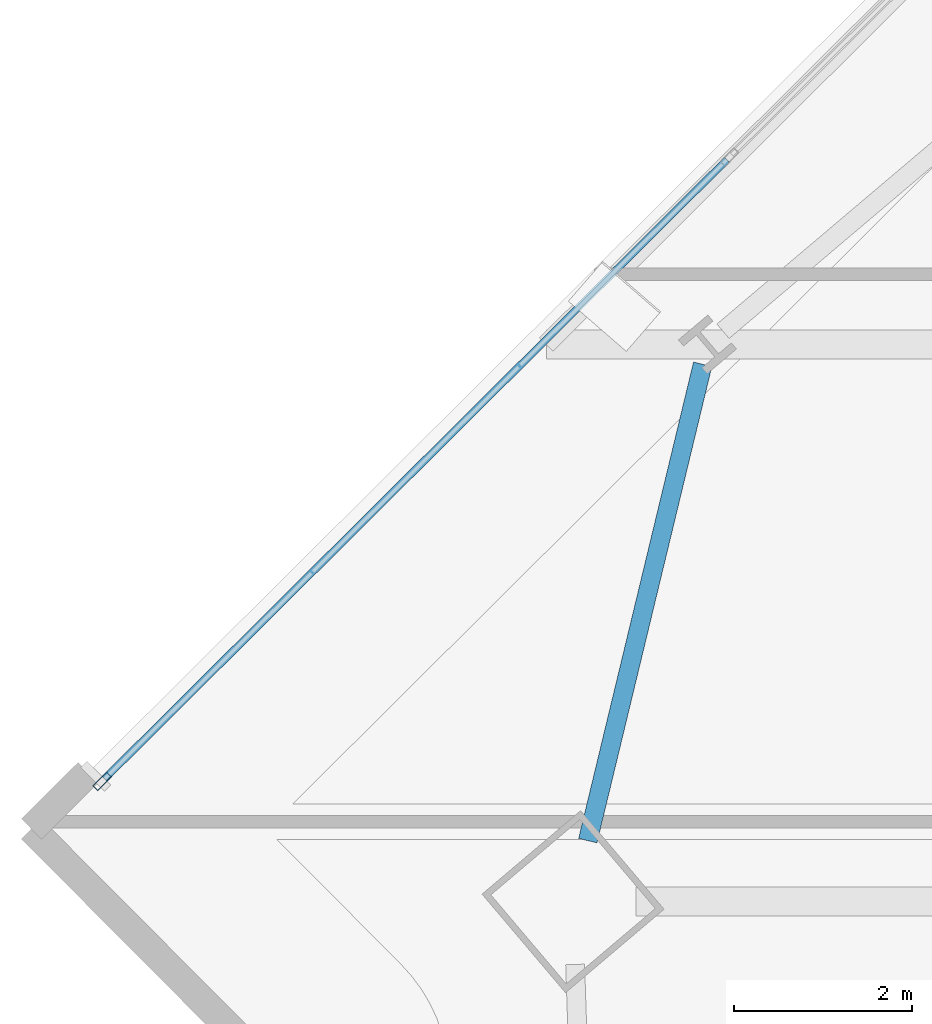
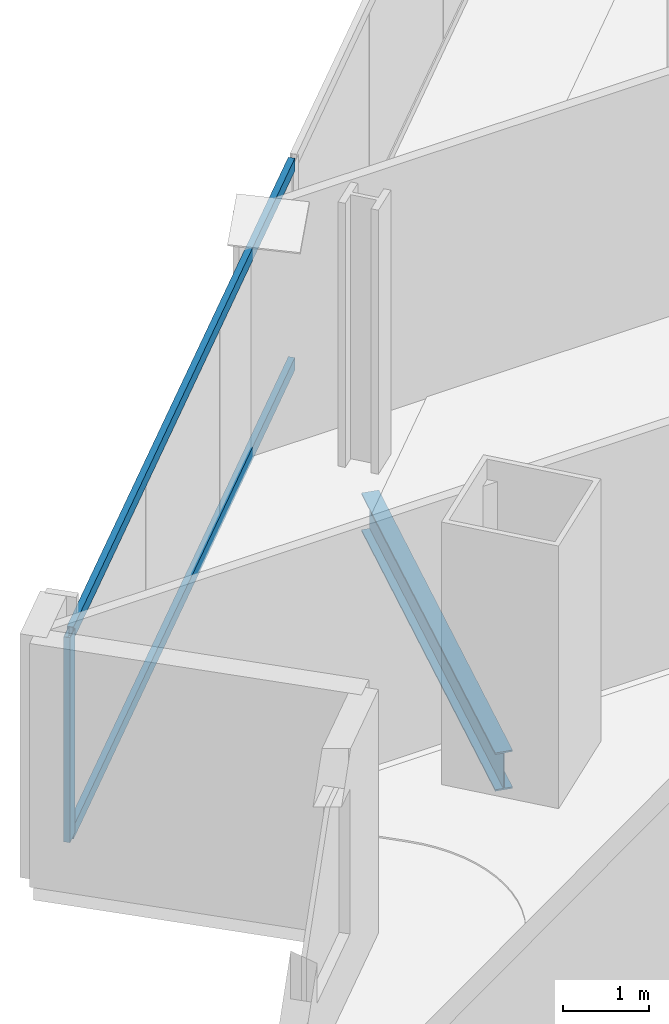
# One storey, part 13 of 32: 3 members, 1 beam, 1 element without a shape of its own.
"""IFC4 building model written with IfcOpenShell, lengths in metres."""

from ifc_helpers import new_model, si_unit, direction, frame, origin, origin_2d, place, context, subcontext, project, spatial, hollow_rectangle, i_section, extrude, material, material_profile, profile_set, type_object, element, aggregate, save


model = new_model("IFC4")

# Units and contexts
model_context = context("Model", 3, precision=1e-05, world=origin(), true_north=direction((0.0, 1.0)))
body_context = subcontext(model_context, "Body", "Model", "MODEL_VIEW")
ifc_project = project(units=[si_unit("LENGTHUNIT", "METRE"), si_unit("AREAUNIT", "SQUARE_METRE"), si_unit("VOLUMEUNIT", "CUBIC_METRE"), si_unit("PLANEANGLEUNIT", "RADIAN"), si_unit("MASSUNIT", "GRAM", prefix="KILO")], contexts=[model_context])

# Site, building, storey
site_placement = place(None, origin())
site = spatial("IfcSite", under=ifc_project, at=site_placement, CompositionType="ELEMENT")
building_placement = place(site_placement, origin())
building = spatial("IfcBuilding", under=site, at=building_placement, Name="Haldenkirk Collegiate Tower", CompositionType="ELEMENT")
storey_placement = place(building_placement, frame((0.0, 0.0, 178.199951171875)))
storey = spatial("IfcBuildingStorey", under=building, at=storey_placement, Name="L44", CompositionType="ELEMENT", Elevation=178.199951171875)

# Beam
ifc_material_1 = material(Name="Steel ASTM A992 Grade 50", Category="steel")
ifc_material_profile_1 = material_profile(ifc_material_1, i_section(OverallWidth=0.2119140625, OverallDepth=0.5439453125, WebThickness=0.01318359375, FlangeThickness=0.021240234375, at=origin_2d()), Name="W21X83")
ifc_profile_set_1 = profile_set([ifc_material_profile_1], Name="Steel ASTM A992 Grade 50")
beam_type = type_object("IfcBeamType", Name="BM-SPANDREL-W21X83", PredefinedType="SPANDREL", material=ifc_profile_set_1)
beam_placement = place(storey_placement, frame((12.21630859375, 33.137451171875, -0.56201171875), z_axis=(-0.234477140293, -0.972121633686, 0.0), x_axis=(0.972121633686, -0.234477140293, 0.0)))
element("IfcBeam", 1, at=beam_placement, inside=storey, type_object=beam_type, Name="L44 perimeter spandrel beam 12", PredefinedType="SPANDREL", context=body_context, shape_type="SweptSolid", body=[
    extrude(i_section(OverallWidth=0.2119140625, OverallDepth=0.5439453125, WebThickness=0.01318359375, FlangeThickness=0.021240234375, at=origin_2d()), origin(), (0.0, 0.0, 1.0), 5.501708984375),
])

# Curtain wall, members
ifc_material_2 = material(Name="Anodised architectural bronze aluminium", Category="aluminium")
curtain_wall_type = type_object("IfcCurtainWallType", Name="CW-SYS1-CONVEX-LOW", PredefinedType="USERDEFINED", material=ifc_material_2)
curtain_wall_placement = place(storey_placement, origin())
curtain_wall = element("IfcCurtainWall", 2, at=curtain_wall_placement, inside=storey, type_object=curtain_wall_type, Name="L44 Lower tower convex bronze-framed unitised curtain wall", ObjectType="UNITISED CURTAIN WALL", PredefinedType="USERDEFINED")
ifc_material_profile_2 = material_profile(ifc_material_2, hollow_rectangle(XDim=0.080078125, YDim=0.219970703125, WallThickness=0.0048828125, at=origin_2d()), Name="CW-MUL-1A")
ifc_profile_set_2 = profile_set([ifc_material_profile_2], Name="Anodised architectural bronze aluminium")
member_type_1 = type_object("IfcMemberType", Name="CW-MUL-1A", PredefinedType="MULLION", material=ifc_profile_set_2)
member_1_placement = place(storey_placement, frame((5.473388671875, 28.455810546875, 0.0), z_axis=(0.0, 0.0, 1.0), x_axis=(-0.705254733822, 0.708953990342, 0.0)))
member_1 = element("IfcMember", 3, at=member_1_placement, type_object=member_type_1, Name="CW-1A mullion 1", PredefinedType="MULLION", context=body_context, shape_type="SweptSolid", body=[
    extrude(hollow_rectangle(XDim=0.080078125, YDim=0.219970703125, WallThickness=0.0048828125, at=origin_2d()), origin(), (0.0, 0.0, 1.0), 2.9111328125),
])
ifc_material_profile_3 = material_profile(ifc_material_2, hollow_rectangle(XDim=0.080078125, YDim=0.179931640625, WallThickness=0.0048828125, at=origin_2d()), Name="CW-TRN-1A")
ifc_profile_set_3 = profile_set([ifc_material_profile_3], Name="Anodised architectural bronze aluminium")
member_type_2 = type_object("IfcMemberType", Name="CW-TRN-1A", PredefinedType="USERDEFINED", material=ifc_profile_set_3)
member_2_placement = place(storey_placement, frame((5.501708984375, 28.484130859375, 0.0400390625), z_axis=(0.708962337741, 0.70524634254, 0.0), x_axis=(-0.70524634254, 0.708962337741, 0.0)))
member_2 = element("IfcMember", 4, at=member_2_placement, type_object=member_type_2, Name="CW-1A transom 1.1", ObjectType="TRANSOM", PredefinedType="USERDEFINED", context=body_context, shape_type="SweptSolid", body=[
    extrude(hollow_rectangle(XDim=0.080078125, YDim=0.179931640625, WallThickness=0.0048828125, at=origin_2d()), origin(), (0.0, 0.0, 1.0), 9.85498046875),
])
member_3_placement = place(storey_placement, frame((5.501708984375, 28.484130859375, 2.87109375), z_axis=(0.708962337741, 0.70524634254, 0.0), x_axis=(-0.70524634254, 0.708962337741, 0.0)))
member_3 = element("IfcMember", 5, at=member_3_placement, type_object=member_type_2, Name="CW-1A transom 1.2", ObjectType="TRANSOM", PredefinedType="USERDEFINED", context=body_context, shape_type="SweptSolid", body=[
    extrude(hollow_rectangle(XDim=0.080078125, YDim=0.179931640625, WallThickness=0.0048828125, at=origin_2d()), origin(), (0.0, 0.0, 1.0), 9.85498046875),
])
aggregate(curtain_wall, [member_1, member_2, member_3])

save(model, "model.ifc")
